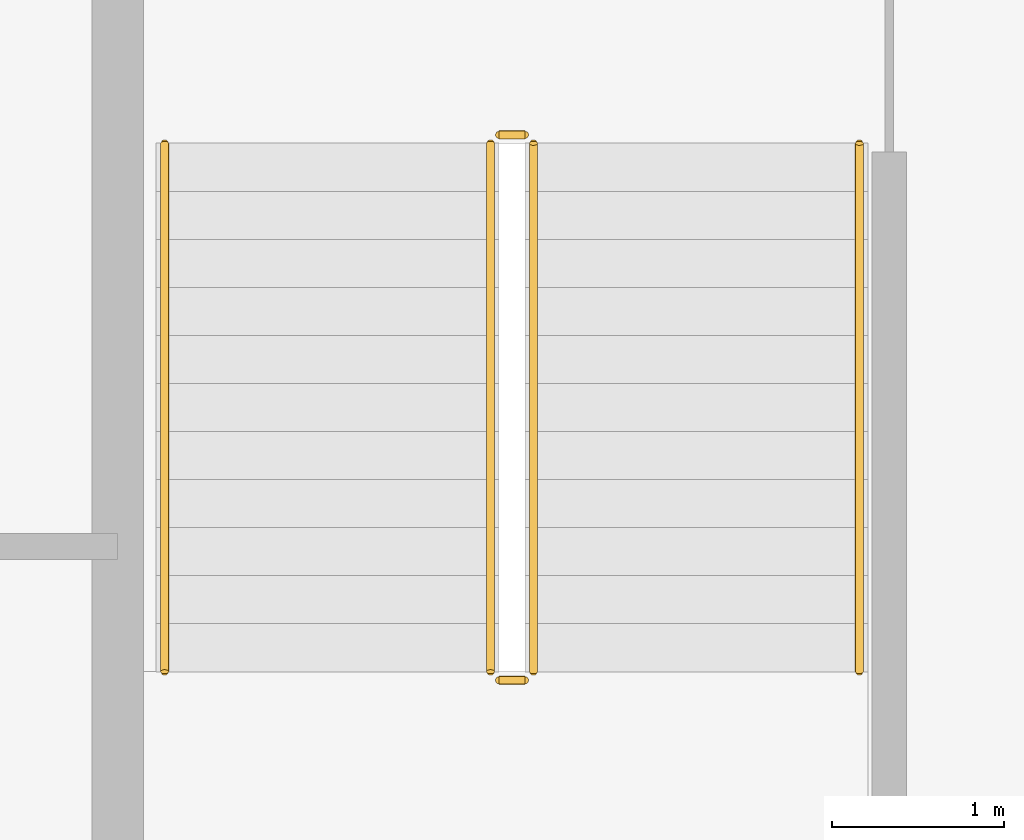
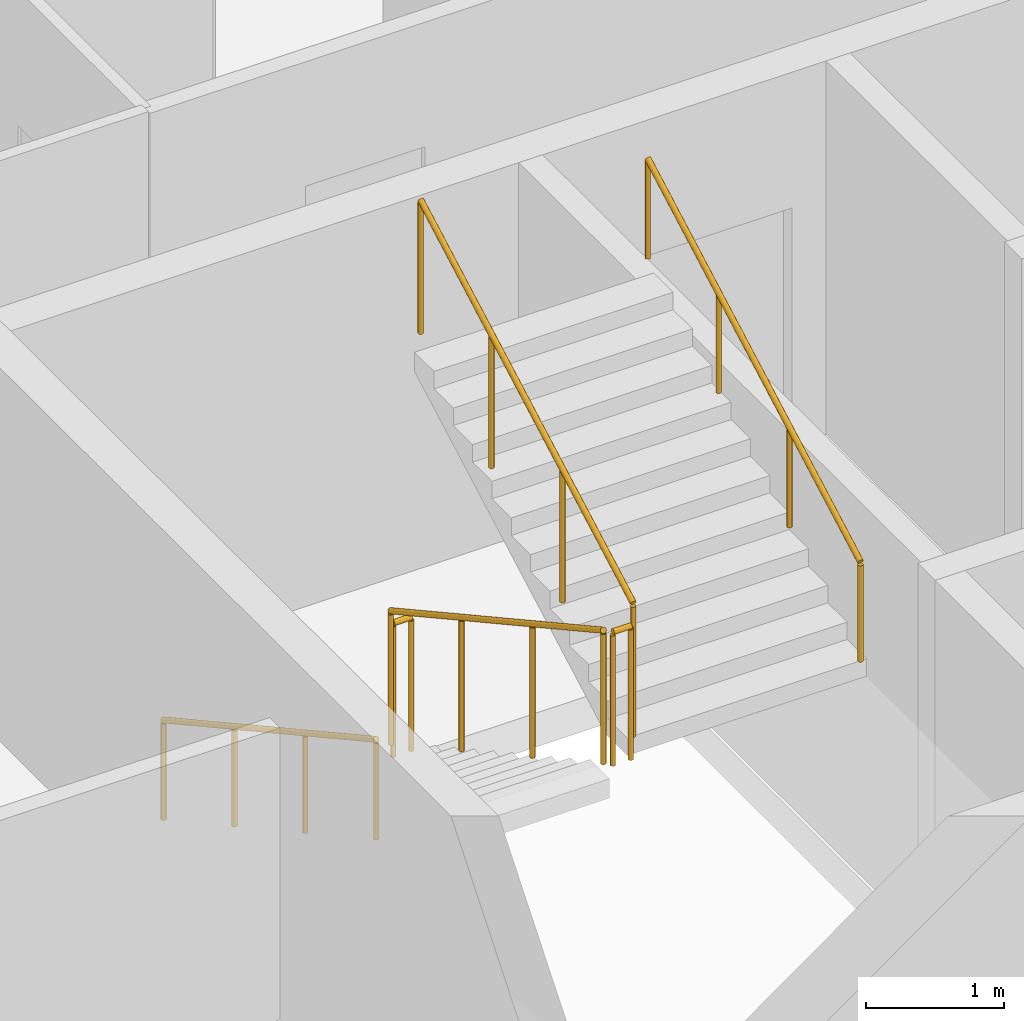
# One storey, part 12 of 14: 6 railings.
"""IFC4 building model written with IfcOpenShell, lengths in metres."""

from ifc_helpers import new_model, si_unit, direction, frame, origin, origin_2d, place, context, subcontext, project, spatial, circle, extrude, material, type_object, element, save


model = new_model("IFC4")

# Units and contexts
model_context = context("Model", 3, precision=1e-05, world=origin(), true_north=direction((0.0, 1.0)))
body_context = subcontext(model_context, "Body", "Model", "MODEL_VIEW")
ifc_project = project(units=[si_unit("LENGTHUNIT", "METRE"), si_unit("AREAUNIT", "SQUARE_METRE"), si_unit("VOLUMEUNIT", "CUBIC_METRE"), si_unit("PLANEANGLEUNIT", "RADIAN"), si_unit("MASSUNIT", "GRAM", prefix="KILO")], contexts=[model_context])

# Site, building, storey
site_placement = place(None, origin())
site = spatial("IfcSite", under=ifc_project, at=site_placement, CompositionType="ELEMENT")
building_placement = place(site_placement, origin())
building = spatial("IfcBuilding", under=site, at=building_placement, Name="Caravel Reach Hotel and Residences", CompositionType="ELEMENT")
storey_placement = place(building_placement, frame((0.0, 0.0, 183.89990234375)))
storey = spatial("IfcBuildingStorey", under=building, at=storey_placement, Name="L46", CompositionType="ELEMENT", Elevation=183.89990234375)

# Railings
ifc_material_1 = material(Name="Steel balustrade with glass infill", Category="steel")
railing_type_1 = type_object("IfcRailingType", Name="Guard 1200", PredefinedType="GUARDRAIL", material=ifc_material_1)
railing_1_placement = place(storey_placement, frame((20.175048828125, 29.35009765625, 0.154296875)))
element("IfcRailing", 1, at=railing_1_placement, inside=storey, type_object=railing_type_1, Name="L46 ST-A stair guard 1", PredefinedType="GUARDRAIL", context=body_context, shape_type="SweptSolid", body=[
    extrude(circle(Radius=0.02392578125, at=origin_2d()), frame((0.0, 0.0, 1.17578125), z_axis=(0.0, -0.876004717809, 0.482302534076), x_axis=(1.0, 0.0, 0.0)), (0.0, 0.0, 1.0), 3.51611328125),
    extrude(circle(Radius=0.02099609375, at=origin_2d()), origin(), (0.0, 0.0, 1.0), 1.15185546875),
    extrude(circle(Radius=0.02099609375, at=origin_2d()), frame((0.0, -1.026611328125, 0.565185546875)), (0.0, 0.0, 1.0), 1.15185546875),
    extrude(circle(Radius=0.02099609375, at=origin_2d()), frame((0.0, -2.053466796875, 1.130615234375)), (0.0, 0.0, 1.0), 1.15185546875),
    extrude(circle(Radius=0.02099609375, at=origin_2d()), frame((0.0, -3.080078125, 1.69580078125)), (0.0, 0.0, 1.0), 1.15185546875),
])
railing_2_placement = place(storey_placement, frame((20.22509765625, 26.219970703125, 1.85009765625)))
element("IfcRailing", 2, at=railing_2_placement, inside=storey, type_object=railing_type_1, Name="L46 ST-A stair guard 2", PredefinedType="GUARDRAIL", context=body_context, shape_type="SweptSolid", body=[
    extrude(circle(Radius=0.02392578125, at=origin_2d()), frame((0.0, 0.0, 1.17578125), z_axis=(1.0, 0.0, 0.0), x_axis=(0.0, 1.0, 0.0)), (0.0, 0.0, 1.0), 0.14990234375),
    extrude(circle(Radius=0.02099609375, at=origin_2d()), origin(), (0.0, 0.0, 1.0), 1.15185546875),
    extrude(circle(Radius=0.02099609375, at=origin_2d()), frame((0.14990234375, 0.0, 0.0)), (0.0, 0.0, 1.0), 1.15185546875),
])
railing_3_placement = place(storey_placement, frame((20.425048828125, 26.27001953125, 2.004150390625)))
element("IfcRailing", 3, at=railing_3_placement, inside=storey, type_object=railing_type_1, Name="L46 ST-A stair guard 3", PredefinedType="GUARDRAIL", context=body_context, shape_type="SweptSolid", body=[
    extrude(circle(Radius=0.02392578125, at=origin_2d()), frame((0.0, 0.0, 1.17578125), z_axis=(0.0, 0.875975380505, 0.482355815502), x_axis=(-1.0, 0.0, 0.0)), (0.0, 0.0, 1.0), 3.51611328125),
    extrude(circle(Radius=0.02099609375, at=origin_2d()), origin(), (0.0, 0.0, 1.0), 1.15185546875),
    extrude(circle(Radius=0.02099609375, at=origin_2d()), frame((0.0, 1.026611328125, 0.5654296875)), (0.0, 0.0, 1.0), 1.15185546875),
    extrude(circle(Radius=0.02099609375, at=origin_2d()), frame((0.0, 2.053466796875, 1.130615234375)), (0.0, 0.0, 1.0), 1.15185546875),
    extrude(circle(Radius=0.02099609375, at=origin_2d()), frame((0.0, 3.080078125, 1.696044921875)), (0.0, 0.0, 1.0), 1.15185546875),
])
railing_4_placement = place(storey_placement, frame((20.22509765625, 29.39990234375, 0.0)))
element("IfcRailing", 4, at=railing_4_placement, inside=storey, type_object=railing_type_1, Name="L46 ST-A stair guard 4", PredefinedType="GUARDRAIL", context=body_context, shape_type="SweptSolid", body=[
    extrude(circle(Radius=0.02392578125, at=origin_2d()), frame((0.0, 0.0, 1.17578125), z_axis=(1.0, 0.0, 0.0), x_axis=(0.0, 1.0, 0.0)), (0.0, 0.0, 1.0), 0.14990234375),
    extrude(circle(Radius=0.02099609375, at=origin_2d()), origin(), (0.0, 0.0, 1.0), 1.15185546875),
    extrude(circle(Radius=0.02099609375, at=origin_2d()), frame((0.14990234375, 0.0, 0.0)), (0.0, 0.0, 1.0), 1.15185546875),
])
ifc_material_2 = material(Name="Stainless steel handrail", Category="steel")
railing_type_2 = type_object("IfcRailingType", Name="Handrail 900", PredefinedType="HANDRAIL", material=ifc_material_2)
railing_5_placement = place(storey_placement, frame((18.27490234375, 29.35009765625, 0.154296875)))
element("IfcRailing", 5, at=railing_5_placement, inside=storey, type_object=railing_type_2, Name="L46 ST-A stair handrail 1", PredefinedType="HANDRAIL", context=body_context, shape_type="SweptSolid", body=[
    extrude(circle(Radius=0.02392578125, at=origin_2d()), frame((0.0, 0.0, 0.8759765625), z_axis=(0.0, -0.876004717809, 0.482302534076), x_axis=(1.0, 0.0, 0.0)), (0.0, 0.0, 1.0), 3.51611328125),
    extrude(circle(Radius=0.02099609375, at=origin_2d()), origin(), (0.0, 0.0, 1.0), 0.851806640625),
    extrude(circle(Radius=0.02099609375, at=origin_2d()), frame((0.0, -1.026611328125, 0.565185546875)), (0.0, 0.0, 1.0), 0.851806640625),
    extrude(circle(Radius=0.02099609375, at=origin_2d()), frame((0.0, -2.053466796875, 1.130615234375)), (0.0, 0.0, 1.0), 0.851806640625),
    extrude(circle(Radius=0.02099609375, at=origin_2d()), frame((0.0, -3.080078125, 1.69580078125)), (0.0, 0.0, 1.0), 0.851806640625),
])
railing_6_placement = place(storey_placement, frame((22.324951171875, 26.27001953125, 2.004150390625)))
element("IfcRailing", 6, at=railing_6_placement, inside=storey, type_object=railing_type_2, Name="L46 ST-A stair handrail 2", PredefinedType="HANDRAIL", context=body_context, shape_type="SweptSolid", body=[
    extrude(circle(Radius=0.02392578125, at=origin_2d()), frame((0.0, 0.0, 0.8759765625), z_axis=(0.0, 0.875975380505, 0.482355815502), x_axis=(-1.0, 0.0, 0.0)), (0.0, 0.0, 1.0), 3.51611328125),
    extrude(circle(Radius=0.02099609375, at=origin_2d()), origin(), (0.0, 0.0, 1.0), 0.851806640625),
    extrude(circle(Radius=0.02099609375, at=origin_2d()), frame((0.0, 1.026611328125, 0.5654296875)), (0.0, 0.0, 1.0), 0.851806640625),
    extrude(circle(Radius=0.02099609375, at=origin_2d()), frame((0.0, 2.053466796875, 1.130615234375)), (0.0, 0.0, 1.0), 0.851806640625),
    extrude(circle(Radius=0.02099609375, at=origin_2d()), frame((0.0, 3.080078125, 1.696044921875)), (0.0, 0.0, 1.0), 0.851806640625),
])

save(model, "model.ifc")
